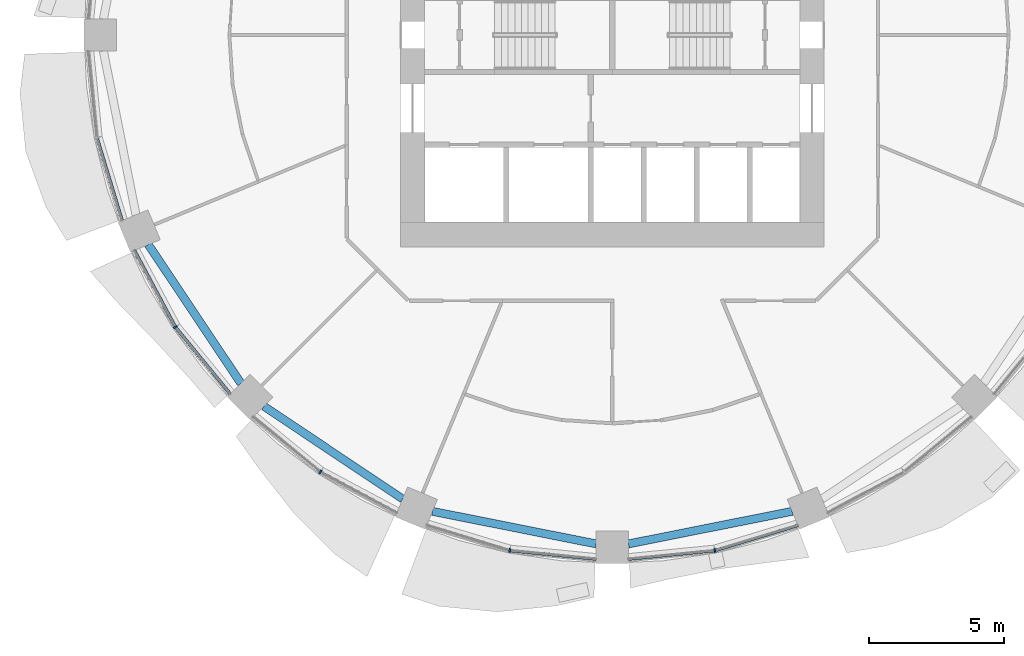
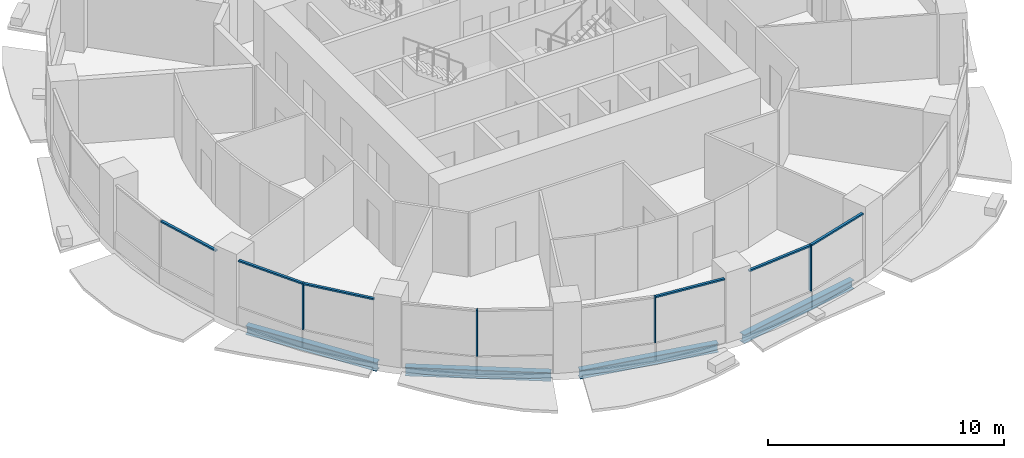
# One storey, part 2 of 15: 10 members, 4 beams, 5 elements without a shape of their own.
"""IFC4 building model written with IfcOpenShell, lengths in metres."""

import ifcopenshell
import ifcopenshell.guid

model = None  # the IFC model being written
_history = None  # IfcOwnerHistory: only IFC2X3 demands one
_inside = {}  # id of a spatial element -> (the spatial element, [elements in it])
_under = {}  # id of a project, library or spatial element -> (it, [spatial elements below it])
_declared = {}  # id of a project -> (the project, [libraries it declares])
_typed = {}  # id of a type object -> (the type object, [elements of that type])
_made_of = {}  # id of a material, layer set ... -> (it, [elements and type objects made of it])


def new_model(schema):
    """Start an empty IFC model of exactly this schema.

    Asked for "IFC4X3", IfcOpenShell would pick the latest addendum, in which some entities
    have other attributes; the version numbers below select the first issue.
    IFC2X3 requires an IfcOwnerHistory on every rooted entity: one is made here for all.
    """
    global model, _history
    if schema == "IFC4X3":
        model = ifcopenshell.file(schema_version=(4, 3, 0, 0))
    else:
        model = ifcopenshell.file(schema=schema)
    _inside.clear()
    _under.clear()
    _declared.clear()
    _typed.clear()
    _made_of.clear()
    _history = None
    if model.schema == "IFC2X3":
        org = make("IfcOrganization", Name="unknown")
        user = make(
            "IfcPersonAndOrganization",
            ThePerson=make("IfcPerson", FamilyName="unknown"),
            TheOrganization=org,
        )
        app = make(
            "IfcApplication",
            ApplicationDeveloper=org,
            Version="unknown",
            ApplicationFullName="unknown",
            ApplicationIdentifier="unknown",
        )
        _history = make(
            "IfcOwnerHistory",
            OwningUser=user,
            OwningApplication=app,
            ChangeAction="ADDED",
            CreationDate=0,
        )
    return model


def make(cls, **values):
    """One entity of the class cls with the attributes given. An attribute that is None is left unset."""
    return model.create_entity(
        cls, **{name: value for name, value in values.items() if value is not None}
    )


def rooted(cls, **values):
    """An entity with a GlobalId (a new one), such as an element, a storey or a relation."""
    return make(cls, GlobalId=ifcopenshell.guid.new(), OwnerHistory=_history, **values)


def si_unit(unit_type, name, prefix=None):
    """IfcSIUnit, for example si_unit("LENGTHUNIT", "METRE", prefix="MILLI")."""
    return make("IfcSIUnit", UnitType=unit_type, Prefix=prefix, Name=name)


def assignment(units):
    """IfcUnitAssignment: the units of a project."""
    return None if units is None else make("IfcUnitAssignment", Units=units)


def point(xyz):
    """IfcCartesianPoint."""
    return None if xyz is None else make("IfcCartesianPoint", Coordinates=xyz)


def direction(xyz):
    """IfcDirection."""
    return None if xyz is None else make("IfcDirection", DirectionRatios=xyz)


def frame(location, z_axis=None, x_axis=None):
    """IfcAxis2Placement3D, a coordinate frame: its origin and axes. An axis left out is left unset."""
    return make(
        "IfcAxis2Placement3D",
        Location=point(location),
        Axis=direction(z_axis),
        RefDirection=direction(x_axis),
    )


def frame_2d(location, x_axis=None):
    """IfcAxis2Placement2D, a coordinate frame in the plane: its origin and x axis."""
    return make(
        "IfcAxis2Placement2D", Location=point(location), RefDirection=direction(x_axis)
    )


def origin():
    """The frame at (0, 0, 0) with its axes left unset."""
    return frame((0.0, 0.0, 0.0))


def origin_2d():
    """The frame at (0, 0) in the plane with its x axis left unset."""
    return frame_2d((0.0, 0.0))


def place(relative_to, where):
    """IfcLocalPlacement: puts the frame where relative to a parent placement (None: the world)."""
    return make(
        "IfcLocalPlacement", PlacementRelTo=relative_to, RelativePlacement=where
    )


def context(
    kind, dimensions, precision=None, world=None, true_north=None, identifier=None
):
    """IfcGeometricRepresentationContext, for example the 3D "Model" context."""
    return make(
        "IfcGeometricRepresentationContext",
        ContextIdentifier=identifier,
        ContextType=kind,
        CoordinateSpaceDimension=dimensions,
        Precision=precision,
        WorldCoordinateSystem=world,
        TrueNorth=true_north,
    )


def subcontext(parent, identifier, kind, view, scale=None):
    """IfcGeometricRepresentationSubContext, for example "Body" below "Model"."""
    return make(
        "IfcGeometricRepresentationSubContext",
        ContextIdentifier=identifier,
        ContextType=kind,
        ParentContext=parent,
        TargetScale=scale,
        TargetView=view,
    )


def project(units=None, contexts=None):
    """IfcProject with its units and contexts."""
    return rooted(
        "IfcProject",
        Name="project",
        RepresentationContexts=contexts,
        UnitsInContext=assignment(units),
    )


def spatial(cls, under=None, at=None, **own):
    """A site, building, storey or space (cls), placed at a placement, below another one or the project."""
    s = rooted(cls, ObjectPlacement=at, **own)
    if under is not None:
        _under.setdefault(under.id(), (under, []))[1].append(s)
    return s


def profile(cls, at=None, kind="AREA", **sizes):
    """A parametric profile (cls). Its sizes go by their IFC names, for example OverallWidth=200.0."""
    return make(cls, ProfileType=kind, Position=at, **sizes)


def rectangle(**sizes):
    """IfcRectangleProfileDef."""
    return profile("IfcRectangleProfileDef", **sizes)


def i_section(**sizes):
    """IfcIShapeProfileDef."""
    return profile("IfcIShapeProfileDef", **sizes)


def extrude(swept, where, along, depth):
    """IfcExtrudedAreaSolid: the profile swept, set in the frame where, extruded along a direction by depth."""
    return make(
        "IfcExtrudedAreaSolid",
        SweptArea=swept,
        Position=where,
        ExtrudedDirection=direction(along),
        Depth=depth,
    )


def shape(context_of_items, identifier, shape_type, items):
    """IfcShapeRepresentation: the items that make up one representation, for example the "Body"."""
    return make(
        "IfcShapeRepresentation",
        ContextOfItems=context_of_items,
        RepresentationIdentifier=identifier,
        RepresentationType=shape_type,
        Items=items,
    )


def material(Name=None, Category=None):
    """IfcMaterial."""
    return make("IfcMaterial", Name=Name, Category=Category)


def material_profile(
    of_material, cross_section, Name=None, Category=None, Priority=None
):
    """IfcMaterialProfile: a cross section and its material."""
    return make(
        "IfcMaterialProfile",
        Name=Name,
        Material=of_material,
        Profile=cross_section,
        Priority=Priority,
        Category=Category,
    )


def profile_set(profiles, Name=None, composite=None):
    """IfcMaterialProfileSet."""
    return make(
        "IfcMaterialProfileSet",
        Name=Name,
        MaterialProfiles=profiles,
        CompositeProfile=composite,
    )


def made_of(thing, what):
    """Note that an element or type object is made of a material, layer set ...; save() writes the relation."""
    if what is not None:
        _made_of.setdefault(what.id(), (what, []))[1].append(thing)
    return thing


def type_object(cls, material=None, **own):
    """A type object (cls), such as IfcWallType, which elements share."""
    return made_of(rooted(cls, **own), material)


def element(
    cls,
    number,
    at=None,
    inside=None,
    cuts=None,
    type_object=None,
    material=None,
    context=None,
    identifier="Body",
    shape_type=None,
    held_by="IfcProductDefinitionShape",
    body=None,
    shapes=None,
    **own,
):
    """One element of the class cls, such as IfcWall. Its Tag is "e" and its number.

    at: its placement. inside: the storey or other place that contains it. cuts: it is an
    opening in that element (IfcRelVoidsElement). A single representation is given by context,
    identifier, shape_type and body (its items); several are given by shapes. held_by: the class
    of the entity that holds the representations. save() writes the other relations.
    """
    e = rooted(cls, Tag="e%d" % number, ObjectPlacement=at, **own)
    if body is not None:
        shapes = [shape(context, identifier, shape_type, body)]
    if shapes is not None:
        e.Representation = make(held_by, Representations=shapes)
    if inside is not None:
        _inside.setdefault(inside.id(), (inside, []))[1].append(e)
    if cuts is not None:
        rooted(
            "IfcRelVoidsElement", RelatingBuildingElement=cuts, RelatedOpeningElement=e
        )
    if type_object is not None:
        _typed.setdefault(type_object.id(), (type_object, []))[1].append(e)
    return made_of(e, material)


def aggregate(whole, parts):
    """IfcRelAggregates: a whole, such as a stair, and the parts it consists of."""
    return rooted("IfcRelAggregates", RelatingObject=whole, RelatedObjects=parts)


def save(model, path):
    """Write the relations noted so far, then the file.

    IfcRelAggregates (storeys below a building ...), IfcRelContainedInSpatialStructure (elements
    in a storey), IfcRelDefinesByType, IfcRelAssociatesMaterial and IfcRelDeclares: one each for
    every whole, place, type object, material and project.
    """
    for whole, parts in _under.values():
        aggregate(whole, parts)
    for where, things in _inside.values():
        rooted(
            "IfcRelContainedInSpatialStructure",
            RelatedElements=things,
            RelatingStructure=where,
        )
    for kind, things in _typed.values():
        rooted("IfcRelDefinesByType", RelatedObjects=things, RelatingType=kind)
    for what, things in _made_of.values():
        rooted("IfcRelAssociatesMaterial", RelatedObjects=things, RelatingMaterial=what)
    for by, libraries in _declared.values():
        rooted("IfcRelDeclares", RelatingContext=by, RelatedDefinitions=libraries)
    model.write(path)


model = new_model("IFC4")

# Units and contexts
model_context = context("Model", 3, precision=1e-05, world=origin(), true_north=direction((0.0, 1.0)))
body_context = subcontext(model_context, "Body", "Model", "MODEL_VIEW")
ifc_project = project(units=[si_unit("LENGTHUNIT", "METRE"), si_unit("AREAUNIT", "SQUARE_METRE"), si_unit("VOLUMEUNIT", "CUBIC_METRE"), si_unit("PLANEANGLEUNIT", "RADIAN"), si_unit("MASSUNIT", "GRAM", prefix="KILO")], contexts=[model_context])

# Site, building, storey
site_placement = place(None, origin())
site = spatial("IfcSite", under=ifc_project, at=site_placement, CompositionType="ELEMENT")
building_placement = place(site_placement, origin())
building = spatial("IfcBuilding", under=site, at=building_placement, Name="Polderwave Tower", CompositionType="ELEMENT")
storey_placement = place(building_placement, frame((0.0, 0.0, 48.10009765625)))
storey = spatial("IfcBuildingStorey", under=building, at=storey_placement, Name="L12", CompositionType="ELEMENT", Elevation=48.10009765625)

# Curtain wall, member
ifc_material_1 = material(Name="Aluminium 6063-T6 and glass", Category="aluminium")
curtain_wall_type = type_object("IfcCurtainWallType", Name="Growing floor ribbon glazing wall", PredefinedType="NOTDEFINED", material=ifc_material_1)
curtain_wall_1_placement = place(storey_placement, origin())
curtain_wall_1 = element("IfcCurtainWall", 1, at=curtain_wall_1_placement, inside=storey, type_object=curtain_wall_type, Name="CW2 L12 09", PredefinedType="NOTDEFINED")
ifc_material_2 = material(Name="Aluminium 6063-T6", Category="aluminium")
ifc_material_profile_1 = material_profile(ifc_material_2, rectangle(XDim=0.14990234375, YDim=0.06005859375, at=origin_2d()), Name="AL 60x150")
ifc_profile_set_1 = profile_set([ifc_material_profile_1], Name="Aluminium 6063-T6")
member_type_1 = type_object("IfcMemberType", Name="Growing floor ribbon glazing mullion 60x150", PredefinedType="MULLION", material=ifc_profile_set_1)
member_1_placement = place(storey_placement, frame((-16.239013671875, -10.85009765625, 0.89990234375), z_axis=(0.0, 0.0, 1.0), x_axis=(0.83146573367, 0.555576037759, 0.0)))
member_1 = element("IfcMember", 2, at=member_1_placement, type_object=member_type_1, Name="CW2 mullion 1", PredefinedType="MULLION", context=body_context, shape_type="SweptSolid", body=[
    extrude(rectangle(XDim=0.14990234375, YDim=0.06005859375, at=origin_2d()), origin(), (0.0, 0.0, 1.0), 2.39990234375),
])

curtain_wall_2_placement = place(storey_placement, origin())
curtain_wall_2 = element("IfcCurtainWall", 3, at=curtain_wall_2_placement, inside=storey, type_object=curtain_wall_type, Name="CW2 L12 10", PredefinedType="NOTDEFINED")
member_2_placement = place(storey_placement, frame((-10.85009765625, -16.239013671875, 0.89990234375), z_axis=(0.0, 0.0, 1.0), x_axis=(0.555576037759, 0.83146573367, 0.0)))
member_2 = element("IfcMember", 4, at=member_2_placement, type_object=member_type_1, Name="CW2 mullion 1", PredefinedType="MULLION", context=body_context, shape_type="SweptSolid", body=[
    extrude(rectangle(XDim=0.14990234375, YDim=0.06005859375, at=origin_2d()), origin(), (0.0, 0.0, 1.0), 2.39990234375),
])
aggregate(curtain_wall_2, [member_2])

curtain_wall_3_placement = place(storey_placement, origin())
curtain_wall_3 = element("IfcCurtainWall", 5, at=curtain_wall_3_placement, inside=storey, type_object=curtain_wall_type, Name="CW2 L12 11", PredefinedType="NOTDEFINED")
member_3_placement = place(storey_placement, frame((-3.81005859375, -19.155029296875, 0.89990234375), z_axis=(0.0, 0.0, 1.0), x_axis=(0.195148522643, 0.980773701784, 0.0)))
member_3 = element("IfcMember", 6, at=member_3_placement, type_object=member_type_1, Name="CW2 mullion 1", PredefinedType="MULLION", context=body_context, shape_type="SweptSolid", body=[
    extrude(rectangle(XDim=0.14990234375, YDim=0.06005859375, at=origin_2d()), origin(), (0.0, 0.0, 1.0), 2.39990234375),
])

curtain_wall_4_placement = place(storey_placement, origin())
curtain_wall_4 = element("IfcCurtainWall", 7, at=curtain_wall_4_placement, inside=storey, type_object=curtain_wall_type, Name="CW2 L12 12", PredefinedType="NOTDEFINED")
member_4_placement = place(storey_placement, frame((3.81005859375, -19.155029296875, 0.89990234375), z_axis=(0.0, 0.0, 1.0), x_axis=(-0.195148522643, 0.980773701784, 0.0)))
member_4 = element("IfcMember", 8, at=member_4_placement, type_object=member_type_1, Name="CW2 mullion 1", PredefinedType="MULLION", context=body_context, shape_type="SweptSolid", body=[
    extrude(rectangle(XDim=0.14990234375, YDim=0.06005859375, at=origin_2d()), origin(), (0.0, 0.0, 1.0), 2.39990234375),
])

curtain_wall_5_placement = place(storey_placement, origin())
curtain_wall_5 = element("IfcCurtainWall", 9, at=curtain_wall_5_placement, inside=storey, type_object=curtain_wall_type, Name="CW2 L12 08", PredefinedType="NOTDEFINED")
ifc_material_profile_2 = material_profile(ifc_material_2, rectangle(XDim=0.1201171875, YDim=0.080078125, at=origin_2d()), Name="AL 80x120")
ifc_profile_set_2 = profile_set([ifc_material_profile_2], Name="Aluminium 6063-T6")
member_type_2 = type_object("IfcMemberType", Name="Growing floor ribbon glazing transom 80x120", PredefinedType="USERDEFINED", material=ifc_profile_set_2)
member_5_placement = place(storey_placement, frame((-19.146240234375, -3.838623046875, 3.260009765625), z_axis=(0.290422902272, -0.95689839473, 0.0), x_axis=(0.95689839473, 0.290422902272, 0.0)))
member_5 = element("IfcMember", 10, at=member_5_placement, type_object=member_type_2, Name="CW2 transom 2", ObjectType="TRANSOM", PredefinedType="USERDEFINED", context=body_context, shape_type="SweptSolid", body=[
    extrude(rectangle(XDim=0.1201171875, YDim=0.080078125, at=origin_2d()), origin(), (0.0, 0.0, 1.0), 3.196044921875),
])
aggregate(curtain_wall_5, [member_5])

# Member
member_6_placement = place(storey_placement, frame((-17.759033203125, -8.006103515625, 3.260009765625), z_axis=(0.471381370673, -0.881929477556, 0.0), x_axis=(0.881929477556, 0.471381370673, 0.0)))
member_6 = element("IfcMember", 11, at=member_6_placement, type_object=member_type_2, Name="CW2 transom 1", ObjectType="TRANSOM", PredefinedType="USERDEFINED", context=body_context, shape_type="SweptSolid", body=[
    extrude(rectangle(XDim=0.1201171875, YDim=0.080078125, at=origin_2d()), origin(), (0.0, 0.0, 1.0), 3.194580078125),
])

member_7_placement = place(storey_placement, frame((-16.219970703125, -10.873291015625, 3.260009765625), z_axis=(0.63447226594, -0.772945627941, 0.0), x_axis=(0.772945627941, 0.63447226594, 0.0)))
member_7 = element("IfcMember", 12, at=member_7_placement, type_object=member_type_2, Name="CW2 transom 2", ObjectType="TRANSOM", PredefinedType="USERDEFINED", context=body_context, shape_type="SweptSolid", body=[
    extrude(rectangle(XDim=0.1201171875, YDim=0.080078125, at=origin_2d()), origin(), (0.0, 0.0, 1.0), 3.196533203125),
])

aggregate(curtain_wall_1, [member_1, member_6, member_7])

member_8_placement = place(storey_placement, frame((-3.780029296875, -19.157958984375, 3.260009765625), z_axis=(0.99519106363, -0.097952778777, 0.0), x_axis=(0.097952778777, 0.99519106363, 0.0)))
member_8 = element("IfcMember", 13, at=member_8_placement, type_object=member_type_2, Name="CW2 transom 2", ObjectType="TRANSOM", PredefinedType="USERDEFINED", context=body_context, shape_type="SweptSolid", body=[
    extrude(rectangle(XDim=0.1201171875, YDim=0.080078125, at=origin_2d()), origin(), (0.0, 0.0, 1.0), 3.1953125),
])

aggregate(curtain_wall_3, [member_3, member_8])

member_9_placement = place(storey_placement, frame((0.60009765625, -19.470947265625, 3.260009765625), z_axis=(0.99519106363, 0.097952778777, 0.0), x_axis=(-0.097952778777, 0.99519106363, 0.0)))
member_9 = element("IfcMember", 14, at=member_9_placement, type_object=member_type_2, Name="CW2 transom 1", ObjectType="TRANSOM", PredefinedType="USERDEFINED", context=body_context, shape_type="SweptSolid", body=[
    extrude(rectangle(XDim=0.1201171875, YDim=0.080078125, at=origin_2d()), origin(), (0.0, 0.0, 1.0), 3.1953125),
])

member_10_placement = place(storey_placement, frame((3.838623046875, -19.146240234375, 3.260009765625), z_axis=(0.95689839473, 0.290422902272, 0.0), x_axis=(-0.290422902272, 0.95689839473, 0.0)))
member_10 = element("IfcMember", 15, at=member_10_placement, type_object=member_type_2, Name="CW2 transom 2", ObjectType="TRANSOM", PredefinedType="USERDEFINED", context=body_context, shape_type="SweptSolid", body=[
    extrude(rectangle(XDim=0.1201171875, YDim=0.080078125, at=origin_2d()), origin(), (0.0, 0.0, 1.0), 3.196044921875),
])

aggregate(curtain_wall_4, [member_4, member_9, member_10])

# Beams
ifc_material_3 = material(Name="Steel S355", Category="steel")
ifc_material_profile_3 = material_profile(ifc_material_3, i_section(OverallWidth=0.300048828125, OverallDepth=0.449951171875, WebThickness=0.013916015625, FlangeThickness=0.02587890625, at=origin_2d()), Name="HE 450 B")
ifc_profile_set_3 = profile_set([ifc_material_profile_3], Name="Steel S355")
beam_type = type_object("IfcBeamType", Name="RING BEAM HE 450 B", PredefinedType="BEAM", material=ifc_profile_set_3)
for number, where, z_axis, x_axis, name in (
    (16, (-17.241455078125, -7.791015625, -0.5751953125), (0.555553875554, -0.831480541779, 0.0), (0.831480541779, 0.555553875554, 0.0), "ST-RB-L12-09"),
    (17, (-12.947509765625, -13.796142578125, -0.5751953125), (0.831480541779, -0.555553875554, 0.0), (0.555553875554, 0.831480541779, 0.0), "ST-RB-L12-10"),
):
    element("IfcBeam", number, at=place(storey_placement, frame(where, z_axis=z_axis, x_axis=x_axis)), inside=storey, type_object=beam_type, Name=name, PredefinedType="BEAM", context=body_context, shape_type="SweptSolid", body=[
        extrude(i_section(OverallWidth=0.300048828125, OverallDepth=0.449951171875, WebThickness=0.013916015625, FlangeThickness=0.02587890625, at=origin_2d()), origin(), (0.0, 0.0, 1.0), 6.20166015625),
    ])
for number, where, z_axis, x_axis, name in (
    (18, (-6.682373046875, -17.70068359375, -0.5751953125), (0.980781542517, -0.195109112701, 0.0), (0.195109112701, 0.980781542517, 0.0), "ST-RB-L12-11"),
    (19, (0.60009765625, -18.91064453125, -0.5751953125), (0.980781542517, 0.195109112701, 0.0), (-0.195109112701, 0.980781542517, 0.0), "ST-RB-L12-12"),
):
    element("IfcBeam", number, at=place(storey_placement, frame(where, z_axis=z_axis, x_axis=x_axis)), inside=storey, type_object=beam_type, Name=name, PredefinedType="BEAM", context=body_context, shape_type="SweptSolid", body=[
        extrude(i_section(OverallWidth=0.300048828125, OverallDepth=0.449951171875, WebThickness=0.013916015625, FlangeThickness=0.02587890625, at=origin_2d()), origin(), (0.0, 0.0, 1.0), 6.201416015625),
    ])

save(model, "model.ifc")
